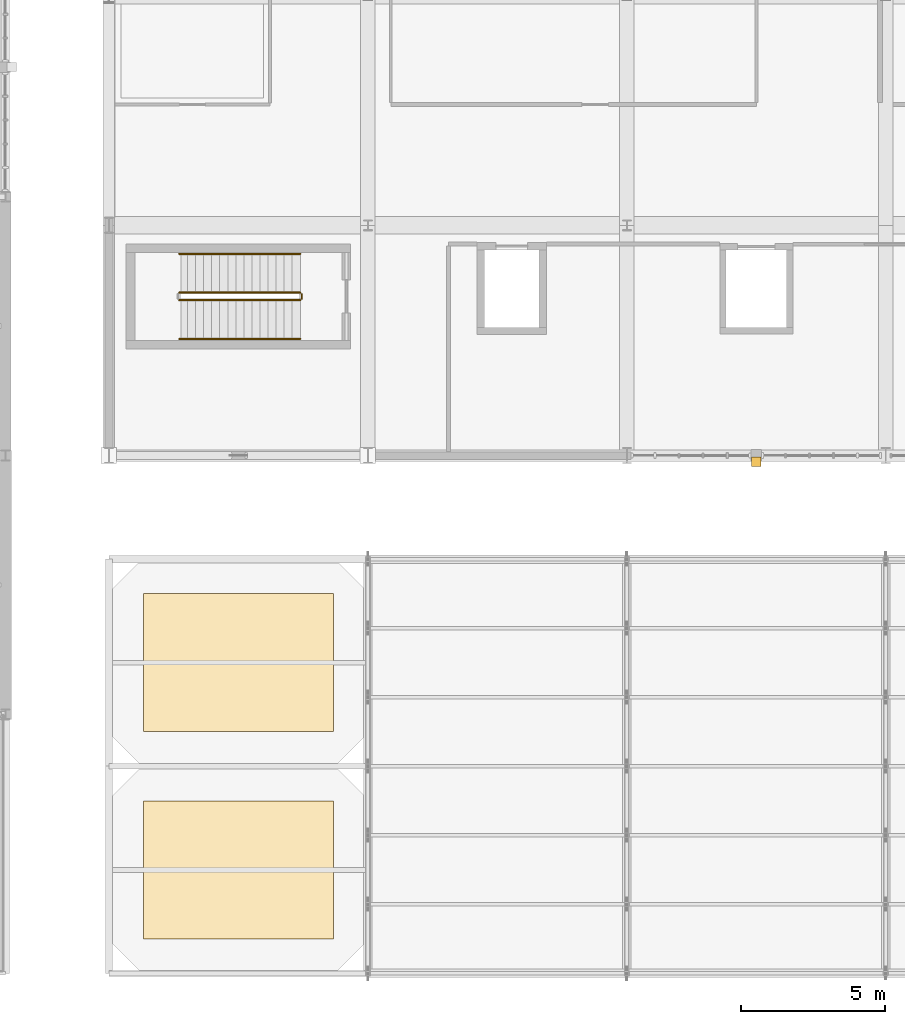
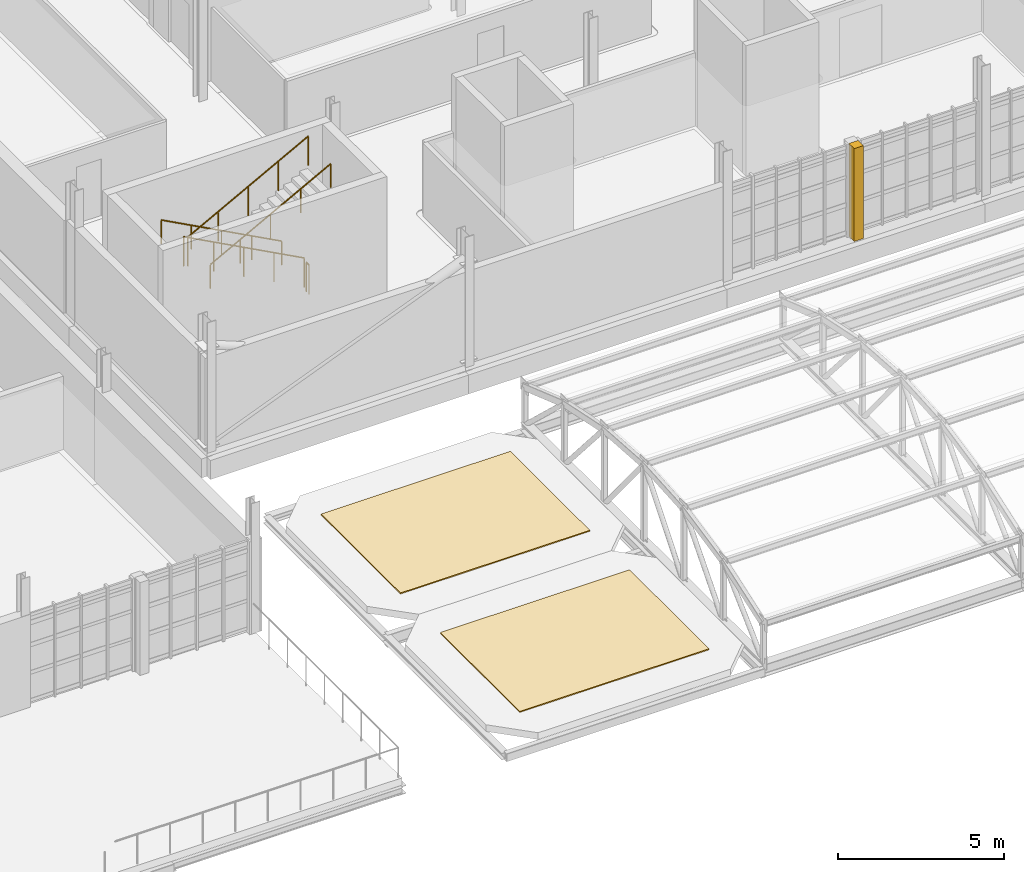
# One storey, part 122 of 128: 5 railings, 3 coverings.
"""IFC4 building model written with IfcOpenShell, lengths in metres."""

from ifc_helpers import new_model, si_unit, direction, frame, origin, origin_2d, place, context, subcontext, project, spatial, polyline, circle, outline, extrude, material, layer, layer_set, type_object, element, save


model = new_model("IFC4")

# Units and contexts
model_context = context("Model", 3, precision=1e-05, world=origin(), true_north=direction((0.0, 1.0)))
body_context = subcontext(model_context, "Body", "Model", "MODEL_VIEW")
ifc_project = project(units=[si_unit("LENGTHUNIT", "METRE"), si_unit("AREAUNIT", "SQUARE_METRE"), si_unit("VOLUMEUNIT", "CUBIC_METRE"), si_unit("PLANEANGLEUNIT", "RADIAN"), si_unit("MASSUNIT", "GRAM", prefix="KILO")], contexts=[model_context])

# Site, building, storey
site_placement = place(None, origin())
site = spatial("IfcSite", under=ifc_project, at=site_placement, CompositionType="ELEMENT")
building_placement = place(site_placement, origin())
building = spatial("IfcBuilding", under=site, at=building_placement, Name="Serraforn Aerial Cableway Station", CompositionType="ELEMENT")
storey_placement = place(building_placement, frame((0.0, 0.0, 9.0)))
storey = spatial("IfcBuildingStorey", under=building, at=storey_placement, Name="L02", CompositionType="ELEMENT", Elevation=9.0)

# Coverings
ifc_material_1 = material(Name="Fluted patinated bronze Art Deco pilaster cladding")
ifc_layer_1 = layer(ifc_material_1, 0.034912109375)
ifc_layer_set_1 = layer_set([ifc_layer_1], Name="Fluted patinated bronze Art Deco pilaster cladding")
covering_type_1 = type_object("IfcCoveringType", Name="COV-CLAD-BRZ", PredefinedType="CLADDING", material=ifc_layer_set_1)
covering_1_placement = place(storey_placement, origin())
element("IfcCovering", 1, at=covering_1_placement, inside=storey, type_object=covering_type_1, Name="Art Deco Bronze Pilaster Cladding CV-L02-S3", PredefinedType="CLADDING", context=body_context, shape_type="SweptSolid", body=[
    extrude(outline(polyline([(49.93994140625, 17.6201171875), (50.260009765625, 17.6201171875), (50.260009765625, 17.93994140625), (49.93994140625, 17.93994140625), (49.93994140625, 17.6201171875)])), origin(), (0.0, 0.0, 1.0), 3.419921875),
])
ifc_material_2 = material(Name="Standing-seam patinated copper roofing")
ifc_layer_2 = layer(ifc_material_2, 0.0400390625)
ifc_layer_set_2 = layer_set([ifc_layer_2], Name="Standing-seam patinated copper roofing")
covering_type_2 = type_object("IfcCoveringType", Name="COV-ROOF-COP", PredefinedType="ROOFING", material=ifc_layer_set_2)
covering_2_placement = place(storey_placement, origin())
element("IfcCovering", 2, at=covering_2_placement, inside=storey, type_object=covering_type_2, Name="Roof Covering CF-L02-1-1", PredefinedType="ROOFING", context=body_context, shape_type="SweptSolid", body=[
    extrude(outline(polyline([(28.800048828125, 1.199951171875), (35.39990234375, 1.199951171875), (35.39990234375, 6.0), (28.800048828125, 6.0), (28.800048828125, 1.199951171875)])), origin(), (0.0, 0.0, 1.0), 0.0400390625),
])
covering_3_placement = place(storey_placement, origin())
element("IfcCovering", 3, at=covering_3_placement, inside=storey, type_object=covering_type_2, Name="Roof Covering CF-L02-1-2", PredefinedType="ROOFING", context=body_context, shape_type="SweptSolid", body=[
    extrude(outline(polyline([(28.800048828125, 8.39990234375), (35.39990234375, 8.39990234375), (35.39990234375, 13.199951171875), (28.800048828125, 13.199951171875), (28.800048828125, 8.39990234375)])), origin(), (0.0, 0.0, 1.0), 0.0400390625),
])

# Railings
ifc_material_3 = material(Name="Patinated bronze stair guardrail")
ifc_layer_3 = layer(ifc_material_3, 0.050048828125)
ifc_layer_set_3 = layer_set([ifc_layer_3], Name="Patinated bronze stair guardrail")
railing_type_1 = type_object("IfcRailingType", Name="RL-STR-GRD", PredefinedType="GUARDRAIL", material=ifc_layer_set_3)
railing_1_placement = place(storey_placement, frame((34.25, 23.659912109375, 0.14990234375)))
element("IfcRailing", 4, at=railing_1_placement, inside=storey, type_object=railing_type_1, Name="L02 ST-03 stair guard 1", PredefinedType="GUARDRAIL", context=body_context, shape_type="SweptSolid", body=[
    extrude(circle(Radius=0.02392578125, at=origin_2d()), frame((0.0, 0.0, 1.076171875), z_axis=(-0.881477684796, 0.0, 0.472225678258), x_axis=(0.0, -1.0, 0.0)), (0.0, 0.0, 1.0), 4.7646484375),
    extrude(circle(Radius=0.02099609375, at=origin_2d()), origin(), (0.0, 0.0, 1.0), 1.052001953125),
    extrude(circle(Radius=0.02099609375, at=origin_2d()), frame((-1.050048828125, 0.0, 0.5625)), (0.0, 0.0, 1.0), 1.052001953125),
    extrude(circle(Radius=0.02099609375, at=origin_2d()), frame((-2.10009765625, 0.0, 1.125)), (0.0, 0.0, 1.0), 1.052001953125),
    extrude(circle(Radius=0.02099609375, at=origin_2d()), frame((-3.14990234375, 0.0, 1.6875)), (0.0, 0.0, 1.0), 1.052001953125),
    extrude(circle(Radius=0.02099609375, at=origin_2d()), frame((-4.199951171875, 0.0, 2.25)), (0.0, 0.0, 1.0), 1.052001953125),
])
railing_2_placement = place(storey_placement, frame((30.050048828125, 23.39990234375, 2.550048828125)))
element("IfcRailing", 5, at=railing_2_placement, inside=storey, type_object=railing_type_1, Name="L02 ST-03 stair guard 3", PredefinedType="GUARDRAIL", context=body_context, shape_type="SweptSolid", body=[
    extrude(circle(Radius=0.02392578125, at=origin_2d()), frame((0.0, 0.0, 1.076171875), z_axis=(0.881477684796, 0.0, 0.472225678258), x_axis=(0.0, 1.0, 0.0)), (0.0, 0.0, 1.0), 4.7646484375),
    extrude(circle(Radius=0.02099609375, at=origin_2d()), origin(), (0.0, 0.0, 1.0), 1.052001953125),
    extrude(circle(Radius=0.02099609375, at=origin_2d()), frame((1.050048828125, 0.0, 0.5625)), (0.0, 0.0, 1.0), 1.052001953125),
    extrude(circle(Radius=0.02099609375, at=origin_2d()), frame((2.10009765625, 0.0, 1.125)), (0.0, 0.0, 1.0), 1.052001953125),
    extrude(circle(Radius=0.02099609375, at=origin_2d()), frame((3.14990234375, 0.0, 1.6875)), (0.0, 0.0, 1.0), 1.052001953125),
    extrude(circle(Radius=0.02099609375, at=origin_2d()), frame((4.199951171875, 0.0, 2.25)), (0.0, 0.0, 1.0), 1.052001953125),
])
railing_3_placement = place(storey_placement, frame((34.300048828125, 23.610107421875, 0.0)))
element("IfcRailing", 6, at=railing_3_placement, inside=storey, type_object=railing_type_1, Name="L02 ST-03 stair guard 4", PredefinedType="GUARDRAIL", context=body_context, shape_type="SweptSolid", body=[
    extrude(circle(Radius=0.02392578125, at=origin_2d()), frame((0.0, 0.0, 1.076171875), z_axis=(0.0, -1.0, 0.0), x_axis=(1.0, 0.0, 0.0)), (0.0, 0.0, 1.0), 0.16015625),
    extrude(circle(Radius=0.02099609375, at=origin_2d()), origin(), (0.0, 0.0, 1.0), 1.052001953125),
    extrude(circle(Radius=0.02099609375, at=origin_2d()), frame((0.0, -0.16015625, 0.0)), (0.0, 0.0, 1.0), 1.052001953125),
])
ifc_material_4 = material(Name="Brushed bronze tubular handrail")
ifc_layer_4 = layer(ifc_material_4, 0.048095703125)
ifc_layer_set_4 = layer_set([ifc_layer_4], Name="Brushed bronze tubular handrail")
railing_type_2 = type_object("IfcRailingType", Name="RL-STR-HDR", PredefinedType="HANDRAIL", material=ifc_layer_set_4)
railing_4_placement = place(storey_placement, frame((34.25, 25.010009765625, 0.14990234375)))
element("IfcRailing", 7, at=railing_4_placement, inside=storey, type_object=railing_type_2, Name="L02 ST-03 stair handrail 1", PredefinedType="HANDRAIL", context=body_context, shape_type="SweptSolid", body=[
    extrude(circle(Radius=0.02392578125, at=origin_2d()), frame((0.0, 0.0, 0.8759765625), z_axis=(-0.881477684796, 0.0, 0.472225678258), x_axis=(0.0, -1.0, 0.0)), (0.0, 0.0, 1.0), 4.7646484375),
    extrude(circle(Radius=0.02099609375, at=origin_2d()), origin(), (0.0, 0.0, 1.0), 0.851806640625),
    extrude(circle(Radius=0.02099609375, at=origin_2d()), frame((-1.050048828125, 0.0, 0.5625)), (0.0, 0.0, 1.0), 0.851806640625),
    extrude(circle(Radius=0.02099609375, at=origin_2d()), frame((-2.10009765625, 0.0, 1.125)), (0.0, 0.0, 1.0), 0.851806640625),
    extrude(circle(Radius=0.02099609375, at=origin_2d()), frame((-3.14990234375, 0.0, 1.6875)), (0.0, 0.0, 1.0), 0.851806640625),
    extrude(circle(Radius=0.02099609375, at=origin_2d()), frame((-4.199951171875, 0.0, 2.25)), (0.0, 0.0, 1.0), 0.851806640625),
])
railing_5_placement = place(storey_placement, frame((30.050048828125, 22.050048828125, 2.550048828125)))
element("IfcRailing", 8, at=railing_5_placement, inside=storey, type_object=railing_type_2, Name="L02 ST-03 stair handrail 2", PredefinedType="HANDRAIL", context=body_context, shape_type="SweptSolid", body=[
    extrude(circle(Radius=0.02392578125, at=origin_2d()), frame((0.0, 0.0, 0.8759765625), z_axis=(0.881477684796, 0.0, 0.472225678258), x_axis=(0.0, 1.0, 0.0)), (0.0, 0.0, 1.0), 4.7646484375),
    extrude(circle(Radius=0.02099609375, at=origin_2d()), origin(), (0.0, 0.0, 1.0), 0.851806640625),
    extrude(circle(Radius=0.02099609375, at=origin_2d()), frame((1.050048828125, 0.0, 0.5625)), (0.0, 0.0, 1.0), 0.851806640625),
    extrude(circle(Radius=0.02099609375, at=origin_2d()), frame((2.10009765625, 0.0, 1.125)), (0.0, 0.0, 1.0), 0.851806640625),
    extrude(circle(Radius=0.02099609375, at=origin_2d()), frame((3.14990234375, 0.0, 1.6875)), (0.0, 0.0, 1.0), 0.851806640625),
    extrude(circle(Radius=0.02099609375, at=origin_2d()), frame((4.199951171875, 0.0, 2.25)), (0.0, 0.0, 1.0), 0.851806640625),
])

save(model, "model.ifc")
